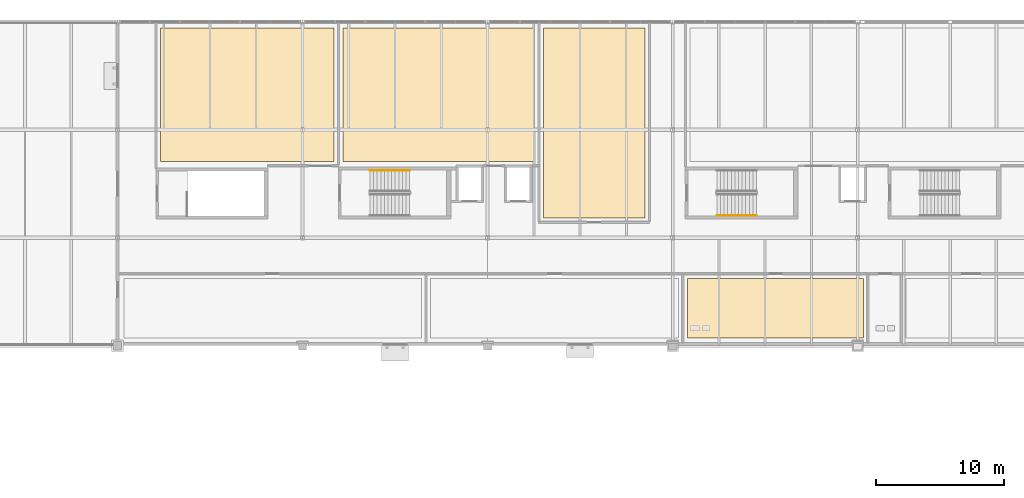
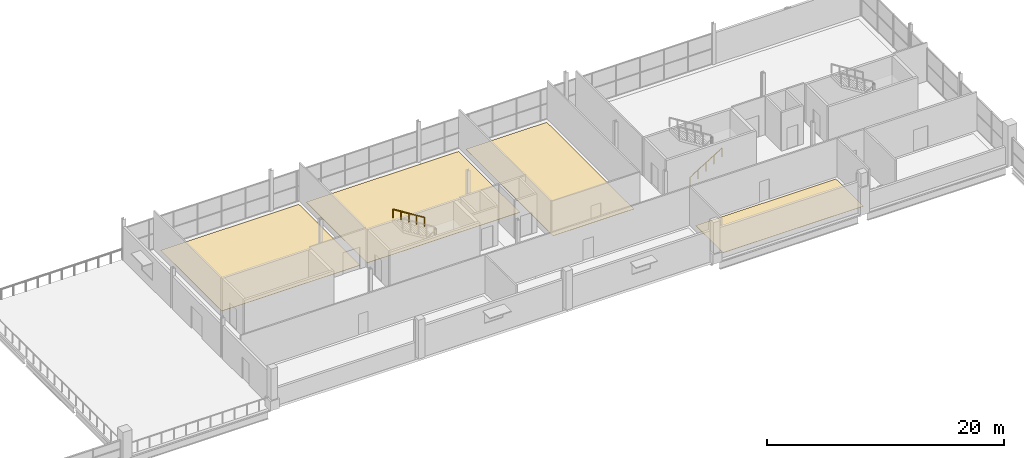
# One storey, part 65 of 68: 4 coverings, 2 railings.
"""IFC4 building model written with IfcOpenShell, lengths in metres."""

from ifc_helpers import new_model, si_unit, direction, frame, origin, origin_2d, place, context, subcontext, project, spatial, polyline, circle, outline, extrude, material, layer, layer_set, type_object, element, save


model = new_model("IFC4")

# Units and contexts
model_context = context("Model", 3, precision=1e-05, world=origin(), true_north=direction((0.0, 1.0)))
body_context = subcontext(model_context, "Body", "Model", "MODEL_VIEW")
ifc_project = project(units=[si_unit("LENGTHUNIT", "METRE"), si_unit("AREAUNIT", "SQUARE_METRE"), si_unit("VOLUMEUNIT", "CUBIC_METRE"), si_unit("PLANEANGLEUNIT", "RADIAN"), si_unit("MASSUNIT", "GRAM", prefix="KILO"), si_unit("THERMODYNAMICTEMPERATUREUNIT", "KELVIN")], contexts=[model_context])

# Site, building, storey
site_placement = place(None, origin())
site = spatial("IfcSite", under=ifc_project, at=site_placement, CompositionType="ELEMENT")
building_placement = place(site_placement, origin())
building = spatial("IfcBuilding", under=site, at=building_placement, Name="Nduvali Passage Aquatics Centre", CompositionType="ELEMENT")
storey_placement = place(building_placement, frame((0.0, 0.0, 13.199951171875)))
storey = spatial("IfcBuildingStorey", under=building, at=storey_placement, Name="L03", CompositionType="ELEMENT", Elevation=13.199951171875)

# Coverings
ifc_material_1 = material(Name="Polished coral-aggregate terrazzo")
ifc_layer_1 = layer(ifc_material_1, 0.030029296875, Name="Polished coral-aggregate terrazzo")
ifc_layer_set_1 = layer_set([ifc_layer_1], Name="Polished coral-aggregate terrazzo")
covering_type_1 = type_object("IfcCoveringType", Name="INT-COV-TERRAZZO", PredefinedType="FLOORING", material=ifc_layer_set_1)
covering_1_placement = place(storey_placement, origin())
element("IfcCovering", 1, at=covering_1_placement, inside=storey, type_object=covering_type_1, Name="L03 Community Water-Safety Teaching Suite 1 Floor Finish", PredefinedType="FLOORING", context=body_context, shape_type="SweptSolid", body=[
    extrude(outline(polyline([(57.35009765625, 106.75), (70.85009765625, 106.75), (70.85009765625, 117.110107421875), (57.35009765625, 117.110107421875), (57.35009765625, 106.75)])), origin(), (0.0, 0.0, 1.0), 0.030029296875),
])
covering_2_placement = place(storey_placement, origin())
element("IfcCovering", 2, at=covering_2_placement, inside=storey, type_object=covering_type_1, Name="L03 Marine Lifesaving Simulation Classroom Floor Finish", PredefinedType="FLOORING", context=body_context, shape_type="SweptSolid", body=[
    extrude(outline(polyline([(71.550048828125, 106.75), (86.449951171875, 106.75), (86.449951171875, 117.110107421875), (71.550048828125, 117.110107421875), (71.550048828125, 106.75)])), origin(), (0.0, 0.0, 1.0), 0.030029296875),
])
covering_3_placement = place(storey_placement, origin())
element("IfcCovering", 3, at=covering_3_placement, inside=storey, type_object=covering_type_1, Name="L03 Tanzania Aquatics Federation Administration Suite Floor Finish", PredefinedType="FLOORING", context=body_context, shape_type="SweptSolid", body=[
    extrude(outline(polyline([(87.14990234375, 102.35009765625), (95.050048828125, 102.35009765625), (95.050048828125, 117.110107421875), (87.14990234375, 117.110107421875), (87.14990234375, 102.35009765625)])), origin(), (0.0, 0.0, 1.0), 0.030029296875),
])
ifc_material_2 = material(Name="Anti-slip ceramic pool deck tile")
ifc_layer_2 = layer(ifc_material_2, 0.02490234375, Name="Anti-slip ceramic pool deck tile")
ifc_layer_set_2 = layer_set([ifc_layer_2], Name="Anti-slip ceramic pool deck tile")
covering_type_2 = type_object("IfcCoveringType", Name="INT-COV-TILE", PredefinedType="FLOORING", material=ifc_layer_set_2)
covering_4_placement = place(storey_placement, origin())
element("IfcCovering", 4, at=covering_4_placement, inside=storey, type_object=covering_type_2, Name="L03 L03 Teaching and Staff Toilets Floor Finish", PredefinedType="FLOORING", context=body_context, shape_type="SweptSolid", body=[
    extrude(outline(polyline([(98.35009765625, 93.010009765625), (112.050048828125, 93.010009765625), (112.050048828125, 97.64990234375), (98.35009765625, 97.64990234375), (98.35009765625, 93.010009765625)])), origin(), (0.0, 0.0, 1.0), 0.025146484375),
])

# Railings
ifc_material_3 = material(Name="Stainless steel balustrade", Category="steel")
railing_type = type_object("IfcRailingType", Name="INT-RLG-HND90", PredefinedType="HANDRAIL", material=ifc_material_3)
railing_1_placement = place(storey_placement, frame((76.72998046875, 106.0400390625, 2.45361328125)))
element("IfcRailing", 5, at=railing_1_placement, inside=storey, type_object=railing_type, Name="L03 ST1 stair handrail 2", PredefinedType="HANDRAIL", context=body_context, shape_type="SweptSolid", body=[
    extrude(circle(Radius=0.02392578125, at=origin_2d()), frame((0.0, 0.0, 0.8759765625), z_axis=(-0.847998304005, 0.0, 0.529998940003), x_axis=(0.0, -1.0, 0.0)), (0.0, 0.0, 1.0), 3.632080078125),
    extrude(circle(Radius=0.02099609375, at=origin_2d()), origin(), (0.0, 0.0, 1.0), 0.851806640625),
    extrude(circle(Radius=0.02099609375, at=origin_2d()), frame((-0.77001953125, 0.0, 0.481201171875)), (0.0, 0.0, 1.0), 0.851806640625),
    extrude(circle(Radius=0.02099609375, at=origin_2d()), frame((-1.5400390625, 0.0, 0.96240234375)), (0.0, 0.0, 1.0), 0.851806640625),
    extrude(circle(Radius=0.02099609375, at=origin_2d()), frame((-2.31005859375, 0.0, 1.44384765625)), (0.0, 0.0, 1.0), 0.851806640625),
    extrude(circle(Radius=0.02099609375, at=origin_2d()), frame((-3.080078125, 0.0, 1.925048828125)), (0.0, 0.0, 1.0), 0.851806640625),
])
railing_2_placement = place(storey_placement, frame((100.64990234375, 102.550048828125, 0.353759765625)))
element("IfcRailing", 6, at=railing_2_placement, inside=storey, type_object=railing_type, Name="L03 ST11 stair handrail 1", PredefinedType="HANDRAIL", context=body_context, shape_type="SweptSolid", body=[
    extrude(circle(Radius=0.02392578125, at=origin_2d()), frame((0.0, 0.0, 0.8759765625), z_axis=(0.847998304005, 0.0, 0.529998940003), x_axis=(0.0, 1.0, 0.0)), (0.0, 0.0, 1.0), 3.632080078125),
    extrude(circle(Radius=0.02099609375, at=origin_2d()), origin(), (0.0, 0.0, 1.0), 0.851806640625),
    extrude(circle(Radius=0.02099609375, at=origin_2d()), frame((0.77001953125, 0.0, 0.481201171875)), (0.0, 0.0, 1.0), 0.851806640625),
    extrude(circle(Radius=0.02099609375, at=origin_2d()), frame((1.5400390625, 0.0, 0.96240234375)), (0.0, 0.0, 1.0), 0.851806640625),
    extrude(circle(Radius=0.02099609375, at=origin_2d()), frame((2.31005859375, 0.0, 1.44384765625)), (0.0, 0.0, 1.0), 0.851806640625),
    extrude(circle(Radius=0.02099609375, at=origin_2d()), frame((3.080078125, 0.0, 1.925048828125)), (0.0, 0.0, 1.0), 0.851806640625),
])

save(model, "model.ifc")
